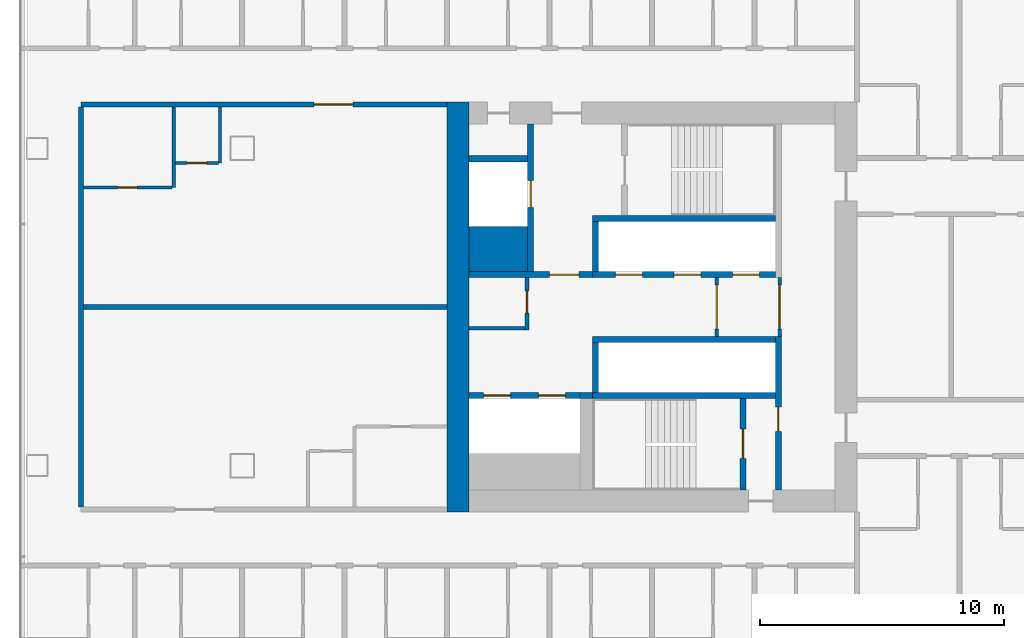
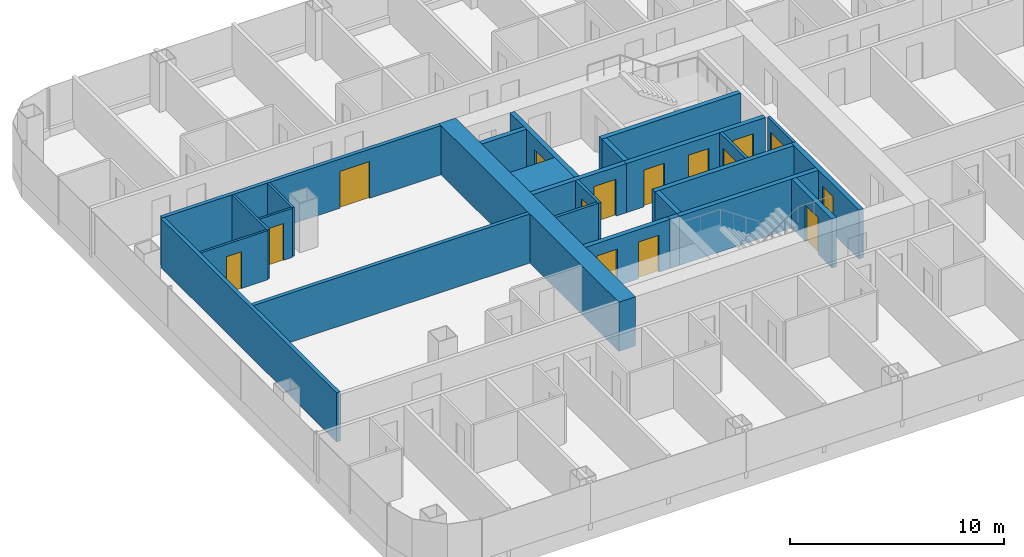
# One storey, part 14 of 29: 26 walls, 15 doors, 15 openings.
"""IFC4 building model written with IfcOpenShell, lengths in metres."""

from ifc_helpers import new_model, si_unit, direction, frame, frame_2d, origin, place, context, subcontext, project, spatial, rectangle, extrude, material, layer, layer_set, type_object, element, fill, save


model = new_model("IFC4")

# Units and contexts
model_context = context("Model", 3, precision=1e-05, world=origin(), true_north=direction((0.0, 1.0)))
body_context = subcontext(model_context, "Body", "Model", "MODEL_VIEW")
ifc_project = project(units=[si_unit("LENGTHUNIT", "METRE"), si_unit("AREAUNIT", "SQUARE_METRE"), si_unit("VOLUMEUNIT", "CUBIC_METRE"), si_unit("PLANEANGLEUNIT", "RADIAN"), si_unit("MASSUNIT", "GRAM", prefix="KILO")], contexts=[model_context])

# Site, building, storey
site_placement = place(None, origin())
site = spatial("IfcSite", under=ifc_project, at=site_placement, CompositionType="ELEMENT")
building_placement = place(site_placement, origin())
building = spatial("IfcBuilding", under=site, at=building_placement, Name="Hakoniwa Tower and Hamabe Station Hall", CompositionType="ELEMENT")
storey_placement = place(building_placement, frame((0.0, 0.0, 55.0)))
storey = spatial("IfcBuildingStorey", under=building, at=storey_placement, Name="L15", CompositionType="ELEMENT", Elevation=55.0)

# Wall, opening, door
ifc_material_1 = material(Name="Gypsum board partition", Category="gypsum")
ifc_layer_1 = layer(ifc_material_1, 0.125)
ifc_layer_set_1 = layer_set([ifc_layer_1], Name="Bathroom Partition 125")
wall_type_1 = type_object("IfcWallType", Name="Bathroom Partition 125", PredefinedType="PARTITIONING", material=ifc_layer_set_1)
wall_1_placement = place(storey_placement, frame((-48.5, 4.89990234375, 0.0), z_axis=(0.0, 0.0, 1.0), x_axis=(1.0, 0.0, 0.0)))
wall_1 = element("IfcWall", 1, at=wall_1_placement, inside=storey, type_object=wall_type_1, Name="GW-L15-028", PredefinedType="PARTITIONING", context=body_context, shape_type="SweptSolid", body=[
    extrude(rectangle(XDim=3.637451171875, YDim=0.125, at=frame_2d((1.81884765625, 0.0))), origin(), (0.0, 0.0, 1.0), 2.800048828125),
])
opening_1_placement = place(wall_1_placement, frame((1.39990234375, 0.0, 0.0)))
opening_1 = element("IfcOpeningElement", 2, at=opening_1_placement, cuts=wall_1, Name="Opening GD-G1B2-40", PredefinedType="OPENING", context=body_context, shape_type="SweptSolid", body=[
    extrude(rectangle(XDim=0.800048828125, YDim=2.10009765625, at=frame_2d((0.39990234375, 1.050048828125))), frame((0.0, 0.072509765625, 0.0), z_axis=(0.0, -1.0, 0.0), x_axis=(1.0, 0.0, 0.0)), (0.0, 0.0, 1.0), 0.14501953125),
])
ifc_material_2 = material(Name="Timber door leaf", Category="wood")
door_type_1 = type_object("IfcDoorType", Name="Bathroom Door 800", OperationType="SINGLE_SWING_LEFT", PredefinedType="DOOR", material=ifc_material_2)
door_1_placement = place(opening_1_placement, origin())
door_1 = element("IfcDoor", 3, at=door_1_placement, inside=storey, type_object=door_type_1, Name="Door GD-G1B2-40", OperationType="SINGLE_SWING_LEFT", OverallHeight=2.10009765625, OverallWidth=0.800048828125, PredefinedType="DOOR", context=body_context, shape_type="SweptSolid", body=[
    extrude(rectangle(XDim=0.800048828125, YDim=2.10009765625, at=frame_2d((0.39990234375, 1.050048828125))), frame((0.0, 0.02490234375, 0.0), z_axis=(0.0, -1.0, 0.0), x_axis=(1.0, 0.0, 0.0)), (0.0, 0.0, 1.0), 0.050048828125),
])
fill(opening_1, door_1)

wall_2_placement = place(storey_placement, frame((-44.737548828125, 5.89990234375, 0.0), z_axis=(0.0, 0.0, 1.0), x_axis=(1.0, 0.0, 0.0)))
wall_2 = element("IfcWall", 4, at=wall_2_placement, inside=storey, type_object=wall_type_1, Name="GW-L15-031", PredefinedType="PARTITIONING", context=body_context, shape_type="SweptSolid", body=[
    extrude(rectangle(XDim=1.775146484375, YDim=0.125, at=frame_2d((0.8876953125, 0.0))), origin(), (0.0, 0.0, 1.0), 2.800048828125),
])
opening_2_placement = place(wall_2_placement, frame((0.487548828125, 0.0, 0.0)))
opening_2 = element("IfcOpeningElement", 5, at=opening_2_placement, cuts=wall_2, Name="Opening GD-G1B2-43", PredefinedType="OPENING", context=body_context, shape_type="SweptSolid", body=[
    extrude(rectangle(XDim=0.800048828125, YDim=2.10009765625, at=frame_2d((0.39990234375, 1.050048828125))), frame((0.0, 0.072509765625, 0.0), z_axis=(0.0, -1.0, 0.0), x_axis=(1.0, 0.0, 0.0)), (0.0, 0.0, 1.0), 0.14501953125),
])
door_2_placement = place(opening_2_placement, origin())
door_2 = element("IfcDoor", 6, at=door_2_placement, inside=storey, type_object=door_type_1, Name="Door GD-G1B2-43", OperationType="SINGLE_SWING_RIGHT", OverallHeight=2.10009765625, OverallWidth=0.800048828125, PredefinedType="DOOR", context=body_context, shape_type="SweptSolid", body=[
    extrude(rectangle(XDim=0.800048828125, YDim=2.10009765625, at=frame_2d((0.39990234375, 1.050048828125))), frame((0.0, 0.02490234375, 0.0), z_axis=(0.0, -1.0, 0.0), x_axis=(1.0, 0.0, 0.0)), (0.0, 0.0, 1.0), 0.050048828125),
])
fill(opening_2, door_2)

# Walls
wall_3_placement = place(storey_placement, frame((-44.800048828125, 4.89990234375, 0.0), z_axis=(0.0, 0.0, 1.0), x_axis=(0.0, 1.0, 0.0)))
element("IfcWall", 7, at=wall_3_placement, inside=storey, type_object=wall_type_1, Name="GW-L15-052", PredefinedType="PARTITIONING", context=body_context, shape_type="SweptSolid", body=[
    extrude(rectangle(XDim=3.300048828125, YDim=0.125, at=frame_2d((1.64990234375, 0.0))), origin(), (0.0, 0.0, 1.0), 2.800048828125),
])
wall_4_placement = place(storey_placement, frame((-42.89990234375, 5.89990234375, 0.0), z_axis=(0.0, 0.0, 1.0), x_axis=(0.0, 1.0, 0.0)))
element("IfcWall", 8, at=wall_4_placement, inside=storey, type_object=wall_type_1, Name="GW-L15-055", PredefinedType="PARTITIONING", context=body_context, shape_type="SweptSolid", body=[
    extrude(rectangle(XDim=2.300048828125, YDim=0.125, at=frame_2d((1.14990234375, 0.0))), origin(), (0.0, 0.0, 1.0), 2.800048828125),
])

# Wall, opening, door
ifc_material_3 = material(Name="Gypsum board partition")
ifc_layer_2 = layer(ifc_material_3, 0.14990234375)
ifc_layer_set_2 = layer_set([ifc_layer_2], Name="CORE PARTITION 150 EI 60")
wall_type_2 = type_object("IfcWallType", Name="CORE PARTITION 150 EI 60", PredefinedType="PARTITIONING", material=ifc_layer_set_2)
wall_5_placement = place(storey_placement, frame((-19.97509765625, -1.199951171875, 0.0), z_axis=(0.0, 0.0, 1.0), x_axis=(0.0, 1.0, 0.0)))
wall_5 = element("IfcWall", 9, at=wall_5_placement, inside=storey, type_object=wall_type_2, Name="Core partition PL0 west", PredefinedType="PARTITIONING", context=body_context, shape_type="SweptSolid", body=[
    extrude(rectangle(XDim=2.39990234375, YDim=0.14990234375, at=frame_2d((1.199951171875, 0.0))), origin(), (0.0, 0.0, 1.0), 2.800048828125),
])
opening_3_placement = place(wall_5_placement, frame((0.300048828125, 0.0, 0.0)))
opening_3 = element("IfcOpeningElement", 10, at=opening_3_placement, cuts=wall_5, Name="Opening CD-W-LP0-18", PredefinedType="OPENING", context=body_context, shape_type="SweptSolid", body=[
    extrude(rectangle(XDim=1.800048828125, YDim=2.10009765625, at=frame_2d((0.89990234375, 1.050048828125))), frame((0.0, 0.0849609375, 0.0), z_axis=(0.0, -1.0, 0.0), x_axis=(1.0, 0.0, 0.0)), (0.0, 0.0, 1.0), 0.169921875),
])
ifc_material_4 = material(Name="Steel fire door", Category="steel")
door_type_2 = type_object("IfcDoorType", Name="CORE DOOR 1800 FD60", OperationType="DOUBLE_DOOR_SINGLE_SWING", PredefinedType="DOOR", material=ifc_material_4)
door_3_placement = place(opening_3_placement, origin())
door_3 = element("IfcDoor", 11, at=door_3_placement, inside=storey, type_object=door_type_2, Name="Lift lobby partition door", OperationType="DOUBLE_DOOR_SINGLE_SWING", OverallHeight=2.10009765625, OverallWidth=1.800048828125, PredefinedType="DOOR", context=body_context, shape_type="SweptSolid", body=[
    extrude(rectangle(XDim=1.800048828125, YDim=2.10009765625, at=frame_2d((0.89990234375, 1.050048828125))), frame((0.0, 0.02490234375, 0.0), z_axis=(0.0, -1.0, 0.0), x_axis=(1.0, 0.0, 0.0)), (0.0, 0.0, 1.0), 0.050048828125),
])
fill(opening_3, door_3)

wall_6_placement = place(storey_placement, frame((-22.550048828125, -1.199951171875, 0.0), z_axis=(0.0, 0.0, 1.0), x_axis=(0.0, 1.0, 0.0)))
wall_6 = element("IfcWall", 12, at=wall_6_placement, inside=storey, type_object=wall_type_2, Name="Core partition PL1 west", PredefinedType="PARTITIONING", context=body_context, shape_type="SweptSolid", body=[
    extrude(rectangle(XDim=2.39990234375, YDim=0.14990234375, at=frame_2d((1.199951171875, 0.0))), origin(), (0.0, 0.0, 1.0), 2.800048828125),
])
opening_4_placement = place(wall_6_placement, frame((0.300048828125, 0.0, 0.0)))
opening_4 = element("IfcOpeningElement", 13, at=opening_4_placement, cuts=wall_6, Name="Opening CD-W-LP1-18", PredefinedType="OPENING", context=body_context, shape_type="SweptSolid", body=[
    extrude(rectangle(XDim=1.800048828125, YDim=2.10009765625, at=frame_2d((0.89990234375, 1.050048828125))), frame((0.0, 0.0849609375, 0.0), z_axis=(0.0, -1.0, 0.0), x_axis=(1.0, 0.0, 0.0)), (0.0, 0.0, 1.0), 0.169921875),
])
door_4_placement = place(opening_4_placement, origin())
door_4 = element("IfcDoor", 14, at=door_4_placement, inside=storey, type_object=door_type_2, Name="Lift lobby partition door", OperationType="DOUBLE_DOOR_SINGLE_SWING", OverallHeight=2.10009765625, OverallWidth=1.800048828125, PredefinedType="DOOR", context=body_context, shape_type="SweptSolid", body=[
    extrude(rectangle(XDim=1.800048828125, YDim=2.10009765625, at=frame_2d((0.89990234375, 1.050048828125))), frame((0.0, 0.02490234375, 0.0), z_axis=(0.0, -1.0, 0.0), x_axis=(1.0, 0.0, 0.0)), (0.0, 0.0, 1.0), 0.050048828125),
])
fill(opening_4, door_4)

wall_7_placement = place(storey_placement, frame((-30.324951171875, -0.949951171875, 0.0), z_axis=(0.0, 0.0, 1.0), x_axis=(0.0, 1.0, 0.0)))
wall_7 = element("IfcWall", 15, at=wall_7_placement, inside=storey, type_object=wall_type_2, Name="Core partition PW0 west", PredefinedType="PARTITIONING", context=body_context, shape_type="SweptSolid", body=[
    extrude(rectangle(XDim=2.14990234375, YDim=0.14990234375, at=frame_2d((1.074951171875, 0.0))), origin(), (0.0, 0.0, 1.0), 2.800048828125),
])
opening_5_placement = place(wall_7_placement, frame((0.699951171875, 0.0, 0.0)))
opening_5 = element("IfcOpeningElement", 16, at=opening_5_placement, cuts=wall_7, Name="Opening CD-W-RM1-9", PredefinedType="OPENING", context=body_context, shape_type="SweptSolid", body=[
    extrude(rectangle(XDim=0.89990234375, YDim=2.10009765625, at=frame_2d((0.449951171875, 1.050048828125))), frame((0.0, 0.0849609375, 0.0), z_axis=(0.0, -1.0, 0.0), x_axis=(1.0, 0.0, 0.0)), (0.0, 0.0, 1.0), 0.169921875),
])
ifc_material_5 = material(Name="Steel fire door", Category="steel")
door_type_3 = type_object("IfcDoorType", Name="CORE DOOR 900 FD30", OperationType="NOTDEFINED", PredefinedType="DOOR", material=ifc_material_5)
door_5_placement = place(opening_5_placement, origin())
door_5 = element("IfcDoor", 17, at=door_5_placement, inside=storey, type_object=door_type_3, Name="Store room door", OperationType="SINGLE_SWING_RIGHT", OverallHeight=2.10009765625, OverallWidth=0.89990234375, PredefinedType="DOOR", context=body_context, shape_type="SweptSolid", body=[
    extrude(rectangle(XDim=0.89990234375, YDim=2.10009765625, at=frame_2d((0.449951171875, 1.050048828125))), frame((0.0, 0.02490234375, 0.0), z_axis=(0.0, -1.0, 0.0), x_axis=(1.0, 0.0, 0.0)), (0.0, 0.0, 1.0), 0.050048828125),
])
fill(opening_5, door_5)

# Walls
wall_8_placement = place(storey_placement, frame((-32.699951171875, -0.875, 0.0), z_axis=(0.0, 0.0, 1.0), x_axis=(1.0, 0.0, 0.0)))
element("IfcWall", 18, at=wall_8_placement, inside=storey, type_object=wall_type_2, Name="Core partition PS west", PredefinedType="PARTITIONING", context=body_context, shape_type="SweptSolid", body=[
    extrude(rectangle(XDim=2.300048828125, YDim=0.14990234375, at=frame_2d((1.14990234375, 0.0))), origin(), (0.0, 0.0, 1.0), 2.800048828125),
])
ifc_material_6 = material(Name="Concrete C80", Category="concrete")
ifc_layer_3 = layer(ifc_material_6, 0.89990234375)
ifc_layer_set_3 = layer_set([ifc_layer_3], Name="CORE WALL 900 C80")
wall_type_3 = type_object("IfcWallType", Name="CORE WALL 900 C80", PredefinedType="SHEAR", material=ifc_layer_set_3)
wall_9_placement = place(storey_placement, frame((-33.14990234375, -8.39990234375, 0.0), z_axis=(0.0, 0.0, 1.0), x_axis=(0.0, 1.0, 0.0)))
element("IfcWall", 19, at=wall_9_placement, inside=storey, type_object=wall_type_3, Name="Core wall OUTER west", PredefinedType="SHEAR", context=body_context, shape_type="SweptSolid", body=[
    extrude(rectangle(XDim=16.7998046875, YDim=0.89990234375, at=frame_2d((8.39990234375, 0.0))), origin(), (0.0, 0.0, 1.0), 2.800048828125),
])
ifc_material_7 = material(Name="Concrete C80", Category="concrete")
ifc_layer_4 = layer(ifc_material_7, 1.85009765625)
ifc_layer_set_4 = layer_set([ifc_layer_4], Name="CORE WEB WALL 1850 C80")
wall_type_4 = type_object("IfcWallType", Name="CORE WEB WALL 1850 C80", PredefinedType="SHEAR", material=ifc_layer_set_4)
wall_10_placement = place(storey_placement, frame((-32.699951171875, 2.375, 0.0), z_axis=(0.0, 0.0, 1.0), x_axis=(1.0, 0.0, 0.0)))
element("IfcWall", 20, at=wall_10_placement, inside=storey, type_object=wall_type_4, Name="Core wall CA west", PredefinedType="SHEAR", context=body_context, shape_type="SweptSolid", body=[
    extrude(rectangle(XDim=2.39990234375, YDim=1.85009765625, at=frame_2d((1.199951171875, 0.0))), origin(), (0.0, 0.0, 1.0), 2.800048828125),
])

# Wall, opening, door
ifc_material_8 = material(Name="Concrete C80", Category="concrete")
ifc_layer_5 = layer(ifc_material_8, 0.25)
ifc_layer_set_5 = layer_set([ifc_layer_5], Name="CORE WEB WALL 250 C80")
wall_type_5 = type_object("IfcWallType", Name="CORE WEB WALL 250 C80", PredefinedType="SHEAR", material=ifc_layer_set_5)
wall_11_placement = place(storey_placement, frame((-20.02490234375, -7.5, 0.0), z_axis=(0.0, 0.0, 1.0), x_axis=(0.0, 1.0, 0.0)))
wall_11 = element("IfcWall", 21, at=wall_11_placement, inside=storey, type_object=wall_type_5, Name="Core wall W1S west", PredefinedType="SHEAR", context=body_context, shape_type="SweptSolid", body=[
    extrude(rectangle(XDim=6.300048828125, YDim=0.25, at=frame_2d((3.14990234375, 0.0))), origin(), (0.0, 0.0, 1.0), 2.800048828125),
])
opening_6_placement = place(wall_11_placement, frame((2.39990234375, 0.0, 0.0)))
opening_6 = element("IfcOpeningElement", 22, at=opening_6_placement, cuts=wall_11, Name="Opening CD-W-VS-10", PredefinedType="OPENING", context=body_context, shape_type="SweptSolid", body=[
    extrude(rectangle(XDim=1.0, YDim=2.10009765625, at=frame_2d((0.5, 1.050048828125))), frame((0.0, 0.135009765625, 0.0), z_axis=(0.0, -1.0, 0.0), x_axis=(1.0, 0.0, 0.0)), (0.0, 0.0, 1.0), 0.27001953125),
])
ifc_material_9 = material(Name="Steel fire door", Category="steel")
door_type_4 = type_object("IfcDoorType", Name="CORE DOOR 1000 FD60", OperationType="NOTDEFINED", PredefinedType="DOOR", material=ifc_material_9)
door_6_placement = place(opening_6_placement, origin())
door_6 = element("IfcDoor", 23, at=door_6_placement, inside=storey, type_object=door_type_4, Name="Stair vestibule door", OperationType="SINGLE_SWING_LEFT", OverallHeight=2.10009765625, OverallWidth=1.0, PredefinedType="DOOR", context=body_context, shape_type="SweptSolid", body=[
    extrude(rectangle(XDim=1.0, YDim=2.10009765625, at=frame_2d((0.5, 1.050048828125))), frame((0.0, 0.02490234375, 0.0), z_axis=(0.0, -1.0, 0.0), x_axis=(1.0, 0.0, 0.0)), (0.0, 0.0, 1.0), 0.050048828125),
])
fill(opening_6, door_6)

# Wall, openings, doors
wall_12_placement = place(storey_placement, frame((-27.64990234375, 1.324951171875, 0.0), z_axis=(0.0, 0.0, 1.0), x_axis=(1.0, 0.0, 0.0)))
wall_12 = element("IfcWall", 24, at=wall_12_placement, inside=storey, type_object=wall_type_5, Name="Core wall NF west", PredefinedType="SHEAR", context=body_context, shape_type="SweptSolid", body=[
    extrude(rectangle(XDim=7.5, YDim=0.25, at=frame_2d((3.75, 0.0))), origin(), (0.0, 0.0, 1.0), 2.800048828125),
])
opening_7_placement = place(wall_12_placement, frame((5.75, 0.0, 0.0)))
opening_7 = element("IfcOpeningElement", 25, at=opening_7_placement, cuts=wall_12, Name="Opening LD-LR1", PredefinedType="OPENING", context=body_context, shape_type="SweptSolid", body=[
    extrude(rectangle(XDim=1.10009765625, YDim=2.10009765625, at=frame_2d((0.550048828125, 1.050048828125))), frame((0.0, 0.135009765625, 0.0), z_axis=(0.0, -1.0, 0.0), x_axis=(1.0, 0.0, 0.0)), (0.0, 0.0, 1.0), 0.27001953125),
])
opening_8_placement = place(wall_12_placement, frame((3.35009765625, 0.0, 0.0)))
opening_8 = element("IfcOpeningElement", 26, at=opening_8_placement, cuts=wall_12, Name="Opening LD-LR2", PredefinedType="OPENING", context=body_context, shape_type="SweptSolid", body=[
    extrude(rectangle(XDim=1.10009765625, YDim=2.10009765625, at=frame_2d((0.550048828125, 1.050048828125))), frame((0.0, 0.135009765625, 0.0), z_axis=(0.0, -1.0, 0.0), x_axis=(1.0, 0.0, 0.0)), (0.0, 0.0, 1.0), 0.27001953125),
])
opening_9_placement = place(wall_12_placement, frame((0.949951171875, 0.0, 0.0)))
opening_9 = element("IfcOpeningElement", 27, at=opening_9_placement, cuts=wall_12, Name="Opening LD-LR3", PredefinedType="OPENING", context=body_context, shape_type="SweptSolid", body=[
    extrude(rectangle(XDim=1.10009765625, YDim=2.10009765625, at=frame_2d((0.550048828125, 1.050048828125))), frame((0.0, 0.135009765625, 0.0), z_axis=(0.0, -1.0, 0.0), x_axis=(1.0, 0.0, 0.0)), (0.0, 0.0, 1.0), 0.27001953125),
])
ifc_material_10 = material(Name="Stainless steel SUS304", Category="steel")
door_type_5 = type_object("IfcDoorType", Name="LIFT LANDING DOOR 1100 FD60", OperationType="DOUBLE_DOOR_SLIDING", PredefinedType="DOOR", material=ifc_material_10)
door_7_placement = place(opening_7_placement, origin())
door_7 = element("IfcDoor", 28, at=door_7_placement, inside=storey, type_object=door_type_5, Name="Lift landing door LR1 L15", OperationType="DOUBLE_DOOR_SLIDING", OverallHeight=2.10009765625, OverallWidth=1.10009765625, PredefinedType="DOOR", context=body_context, shape_type="SweptSolid", body=[
    extrude(rectangle(XDim=1.10009765625, YDim=2.10009765625, at=frame_2d((0.550048828125, 1.050048828125))), frame((0.0, 0.02490234375, 0.0), z_axis=(0.0, -1.0, 0.0), x_axis=(1.0, 0.0, 0.0)), (0.0, 0.0, 1.0), 0.050048828125),
])
fill(opening_7, door_7)
door_8_placement = place(opening_8_placement, origin())
door_8 = element("IfcDoor", 29, at=door_8_placement, inside=storey, type_object=door_type_5, Name="Lift landing door LR2 L15", OperationType="DOUBLE_DOOR_SLIDING", OverallHeight=2.10009765625, OverallWidth=1.10009765625, PredefinedType="DOOR", context=body_context, shape_type="SweptSolid", body=[
    extrude(rectangle(XDim=1.10009765625, YDim=2.10009765625, at=frame_2d((0.550048828125, 1.050048828125))), frame((0.0, 0.02490234375, 0.0), z_axis=(0.0, -1.0, 0.0), x_axis=(1.0, 0.0, 0.0)), (0.0, 0.0, 1.0), 0.050048828125),
])
fill(opening_8, door_8)
door_9_placement = place(opening_9_placement, origin())
door_9 = element("IfcDoor", 30, at=door_9_placement, inside=storey, type_object=door_type_5, Name="Lift landing door LR3 L15", OperationType="DOUBLE_DOOR_SLIDING", OverallHeight=2.10009765625, OverallWidth=1.10009765625, PredefinedType="DOOR", context=body_context, shape_type="SweptSolid", body=[
    extrude(rectangle(XDim=1.10009765625, YDim=2.10009765625, at=frame_2d((0.550048828125, 1.050048828125))), frame((0.0, 0.02490234375, 0.0), z_axis=(0.0, -1.0, 0.0), x_axis=(1.0, 0.0, 0.0)), (0.0, 0.0, 1.0), 0.050048828125),
])
fill(opening_9, door_9)

# Walls
wall_13_placement = place(storey_placement, frame((-27.52490234375, 1.449951171875, 0.0), z_axis=(0.0, 0.0, 1.0), x_axis=(0.0, 1.0, 0.0)))
element("IfcWall", 31, at=wall_13_placement, inside=storey, type_object=wall_type_5, Name="Core wall NE west", PredefinedType="SHEAR", context=body_context, shape_type="SweptSolid", body=[
    extrude(rectangle(XDim=2.050048828125, YDim=0.25, at=frame_2d((1.02490234375, 0.0))), origin(), (0.0, 0.0, 1.0), 2.800048828125),
])
wall_14_placement = place(storey_placement, frame((-27.64990234375, 3.625, 0.0), z_axis=(0.0, 0.0, 1.0), x_axis=(1.0, 0.0, 0.0)))
element("IfcWall", 32, at=wall_14_placement, inside=storey, type_object=wall_type_5, Name="Core wall NR west", PredefinedType="SHEAR", context=body_context, shape_type="SweptSolid", body=[
    extrude(rectangle(XDim=7.5, YDim=0.25, at=frame_2d((3.75, 0.0))), origin(), (0.0, 0.0, 1.0), 2.800048828125),
])

# Wall, opening, door
wall_15_placement = place(storey_placement, frame((-32.699951171875, 1.324951171875, 0.0), z_axis=(0.0, 0.0, 1.0), x_axis=(1.0, 0.0, 0.0)))
wall_15 = element("IfcWall", 33, at=wall_15_placement, inside=storey, type_object=wall_type_5, Name="Core wall ELN west", PredefinedType="SHEAR", context=body_context, shape_type="SweptSolid", body=[
    extrude(rectangle(XDim=5.050048828125, YDim=0.25, at=frame_2d((2.52490234375, 0.0))), origin(), (0.0, 0.0, 1.0), 2.800048828125),
])
opening_10_placement = place(wall_15_placement, frame((3.300048828125, 0.0, 0.0)))
opening_10 = element("IfcOpeningElement", 34, at=opening_10_placement, cuts=wall_15, Name="Opening CD-W-FL-12", PredefinedType="OPENING", context=body_context, shape_type="SweptSolid", body=[
    extrude(rectangle(XDim=1.199951171875, YDim=2.10009765625, at=frame_2d((0.60009765625, 1.050048828125))), frame((0.0, 0.135009765625, 0.0), z_axis=(0.0, -1.0, 0.0), x_axis=(1.0, 0.0, 0.0)), (0.0, 0.0, 1.0), 0.27001953125),
])
ifc_material_11 = material(Name="Steel fire door", Category="steel")
door_type_6 = type_object("IfcDoorType", Name="CORE DOOR 1200 FD60", OperationType="DOUBLE_DOOR_SINGLE_SWING", PredefinedType="DOOR", material=ifc_material_11)
door_10_placement = place(opening_10_placement, origin())
door_10 = element("IfcDoor", 35, at=door_10_placement, inside=storey, type_object=door_type_6, Name="Stair vestibule door to the fire-fighting lobby", OperationType="DOUBLE_DOOR_SINGLE_SWING", OverallHeight=2.10009765625, OverallWidth=1.199951171875, PredefinedType="DOOR", context=body_context, shape_type="SweptSolid", body=[
    extrude(rectangle(XDim=1.199951171875, YDim=2.10009765625, at=frame_2d((0.60009765625, 1.050048828125))), frame((0.0, 0.02490234375, 0.0), z_axis=(0.0, -1.0, 0.0), x_axis=(1.0, 0.0, 0.0)), (0.0, 0.0, 1.0), 0.050048828125),
])
fill(opening_10, door_10)

wall_16_placement = place(storey_placement, frame((-30.175048828125, 1.449951171875, 0.0), z_axis=(0.0, 0.0, 1.0), x_axis=(0.0, 1.0, 0.0)))
wall_16 = element("IfcWall", 36, at=wall_16_placement, inside=storey, type_object=wall_type_5, Name="Core wall FFF west", PredefinedType="SHEAR", context=body_context, shape_type="SweptSolid", body=[
    extrude(rectangle(XDim=6.050048828125, YDim=0.25, at=frame_2d((3.02490234375, 0.0))), origin(), (0.0, 0.0, 1.0), 2.800048828125),
])
opening_11_placement = place(wall_16_placement, frame((2.625, 0.0, 0.0)))
opening_11 = element("IfcOpeningElement", 37, at=opening_11_placement, cuts=wall_16, Name="Opening LD-FF1", PredefinedType="OPENING", context=body_context, shape_type="SweptSolid", body=[
    extrude(rectangle(XDim=1.10009765625, YDim=2.10009765625, at=frame_2d((0.550048828125, 1.050048828125))), frame((0.0, 0.135009765625, 0.0), z_axis=(0.0, -1.0, 0.0), x_axis=(1.0, 0.0, 0.0)), (0.0, 0.0, 1.0), 0.27001953125),
])
door_11_placement = place(opening_11_placement, origin())
door_11 = element("IfcDoor", 38, at=door_11_placement, inside=storey, type_object=door_type_5, Name="Lift landing door FF1 L15", OperationType="DOUBLE_DOOR_SLIDING", OverallHeight=2.10009765625, OverallWidth=1.10009765625, PredefinedType="DOOR", context=body_context, shape_type="SweptSolid", body=[
    extrude(rectangle(XDim=1.10009765625, YDim=2.10009765625, at=frame_2d((0.550048828125, 1.050048828125))), frame((0.0, 0.02490234375, 0.0), z_axis=(0.0, -1.0, 0.0), x_axis=(1.0, 0.0, 0.0)), (0.0, 0.0, 1.0), 0.050048828125),
])
fill(opening_11, door_11)

# Walls
wall_17_placement = place(storey_placement, frame((-32.699951171875, 6.074951171875, 0.0), z_axis=(0.0, 0.0, 1.0), x_axis=(1.0, 0.0, 0.0)))
element("IfcWall", 39, at=wall_17_placement, inside=storey, type_object=wall_type_5, Name="Core wall C2 west", PredefinedType="SHEAR", context=body_context, shape_type="SweptSolid", body=[
    extrude(rectangle(XDim=2.39990234375, YDim=0.25, at=frame_2d((1.199951171875, 0.0))), origin(), (0.0, 0.0, 1.0), 2.800048828125),
])
wall_18_placement = place(storey_placement, frame((-27.64990234375, -1.324951171875, 0.0), z_axis=(0.0, 0.0, 1.0), x_axis=(1.0, 0.0, 0.0)))
element("IfcWall", 40, at=wall_18_placement, inside=storey, type_object=wall_type_5, Name="Core wall SF west", PredefinedType="SHEAR", context=body_context, shape_type="SweptSolid", body=[
    extrude(rectangle(XDim=7.5, YDim=0.25, at=frame_2d((3.75, 0.0))), origin(), (0.0, 0.0, 1.0), 2.800048828125),
])
wall_19_placement = place(storey_placement, frame((-27.52490234375, -3.5, 0.0), z_axis=(0.0, 0.0, 1.0), x_axis=(0.0, 1.0, 0.0)))
element("IfcWall", 41, at=wall_19_placement, inside=storey, type_object=wall_type_5, Name="Core wall SE west", PredefinedType="SHEAR", context=body_context, shape_type="SweptSolid", body=[
    extrude(rectangle(XDim=2.050048828125, YDim=0.25, at=frame_2d((1.02490234375, 0.0))), origin(), (0.0, 0.0, 1.0), 2.800048828125),
])
wall_20_placement = place(storey_placement, frame((-27.64990234375, -3.625, 0.0), z_axis=(0.0, 0.0, 1.0), x_axis=(1.0, 0.0, 0.0)))
element("IfcWall", 42, at=wall_20_placement, inside=storey, type_object=wall_type_5, Name="Core wall SR west", PredefinedType="SHEAR", context=body_context, shape_type="SweptSolid", body=[
    extrude(rectangle(XDim=7.5, YDim=0.25, at=frame_2d((3.75, 0.0))), origin(), (0.0, 0.0, 1.0), 2.800048828125),
])

# Wall, opening, door
wall_21_placement = place(storey_placement, frame((-21.47509765625, -7.5, 0.0), z_axis=(0.0, 0.0, 1.0), x_axis=(0.0, 1.0, 0.0)))
wall_21 = element("IfcWall", 43, at=wall_21_placement, inside=storey, type_object=wall_type_5, Name="Core wall VE west", PredefinedType="SHEAR", context=body_context, shape_type="SweptSolid", body=[
    extrude(rectangle(XDim=3.75, YDim=0.25, at=frame_2d((1.875, 0.0))), origin(), (0.0, 0.0, 1.0), 2.800048828125),
])
opening_12_placement = place(wall_21_placement, frame((1.300048828125, 0.0, 0.0)))
opening_12 = element("IfcOpeningElement", 44, at=opening_12_placement, cuts=wall_21, Name="Opening CD-W-SS-12", PredefinedType="OPENING", context=body_context, shape_type="SweptSolid", body=[
    extrude(rectangle(XDim=1.199951171875, YDim=2.10009765625, at=frame_2d((0.60009765625, 1.050048828125))), frame((0.0, 0.135009765625, 0.0), z_axis=(0.0, -1.0, 0.0), x_axis=(1.0, 0.0, 0.0)), (0.0, 0.0, 1.0), 0.27001953125),
])
door_12_placement = place(opening_12_placement, origin())
door_12 = element("IfcDoor", 45, at=door_12_placement, inside=storey, type_object=door_type_6, Name="Escape stair door", OperationType="DOUBLE_DOOR_SINGLE_SWING", OverallHeight=2.10009765625, OverallWidth=1.199951171875, PredefinedType="DOOR", context=body_context, shape_type="SweptSolid", body=[
    extrude(rectangle(XDim=1.199951171875, YDim=2.10009765625, at=frame_2d((0.60009765625, 1.050048828125))), frame((0.0, 0.02490234375, 0.0), z_axis=(0.0, -1.0, 0.0), x_axis=(1.0, 0.0, 0.0)), (0.0, 0.0, 1.0), 0.050048828125),
])
fill(opening_12, door_12)

# Wall, openings, doors
wall_22_placement = place(storey_placement, frame((-32.699951171875, -3.625, 0.0), z_axis=(0.0, 0.0, 1.0), x_axis=(1.0, 0.0, 0.0)))
wall_22 = element("IfcWall", 46, at=wall_22_placement, inside=storey, type_object=wall_type_5, Name="Core wall SEF west", PredefinedType="SHEAR", context=body_context, shape_type="SweptSolid", body=[
    extrude(rectangle(XDim=4.550048828125, YDim=0.25, at=frame_2d((2.27490234375, 0.0))), origin(), (0.0, 0.0, 1.0), 2.800048828125),
])
opening_13_placement = place(wall_22_placement, frame((2.85009765625, 0.0, 0.0)))
opening_13 = element("IfcOpeningElement", 47, at=opening_13_placement, cuts=wall_22, Name="Opening LD-SV1", PredefinedType="OPENING", context=body_context, shape_type="SweptSolid", body=[
    extrude(rectangle(XDim=1.10009765625, YDim=2.10009765625, at=frame_2d((0.550048828125, 1.050048828125))), frame((0.0, 0.135009765625, 0.0), z_axis=(0.0, -1.0, 0.0), x_axis=(1.0, 0.0, 0.0)), (0.0, 0.0, 1.0), 0.27001953125),
])
opening_14_placement = place(wall_22_placement, frame((0.60009765625, 0.0, 0.0)))
opening_14 = element("IfcOpeningElement", 48, at=opening_14_placement, cuts=wall_22, Name="Opening LD-SV2", PredefinedType="OPENING", context=body_context, shape_type="SweptSolid", body=[
    extrude(rectangle(XDim=1.10009765625, YDim=2.10009765625, at=frame_2d((0.550048828125, 1.050048828125))), frame((0.0, 0.135009765625, 0.0), z_axis=(0.0, -1.0, 0.0), x_axis=(1.0, 0.0, 0.0)), (0.0, 0.0, 1.0), 0.27001953125),
])
door_13_placement = place(opening_13_placement, origin())
door_13 = element("IfcDoor", 49, at=door_13_placement, inside=storey, type_object=door_type_5, Name="Lift landing door SV1 L15", OperationType="DOUBLE_DOOR_SLIDING", OverallHeight=2.10009765625, OverallWidth=1.10009765625, PredefinedType="DOOR", context=body_context, shape_type="SweptSolid", body=[
    extrude(rectangle(XDim=1.10009765625, YDim=2.10009765625, at=frame_2d((0.550048828125, 1.050048828125))), frame((0.0, 0.02490234375, 0.0), z_axis=(0.0, -1.0, 0.0), x_axis=(1.0, 0.0, 0.0)), (0.0, 0.0, 1.0), 0.050048828125),
])
fill(opening_13, door_13)
door_14_placement = place(opening_14_placement, origin())
door_14 = element("IfcDoor", 50, at=door_14_placement, inside=storey, type_object=door_type_5, Name="Lift landing door SV2 L15", OperationType="DOUBLE_DOOR_SLIDING", OverallHeight=2.10009765625, OverallWidth=1.10009765625, PredefinedType="DOOR", context=body_context, shape_type="SweptSolid", body=[
    extrude(rectangle(XDim=1.10009765625, YDim=2.10009765625, at=frame_2d((0.550048828125, 1.050048828125))), frame((0.0, 0.02490234375, 0.0), z_axis=(0.0, -1.0, 0.0), x_axis=(1.0, 0.0, 0.0)), (0.0, 0.0, 1.0), 0.050048828125),
])
fill(opening_14, door_14)

# Wall
wall_23_placement = place(storey_placement, frame((-28.14990234375, -3.625, 0.0), z_axis=(0.0, 0.0, 1.0), x_axis=(1.0, 0.0, 0.0)))
element("IfcWall", 51, at=wall_23_placement, inside=storey, type_object=wall_type_5, Name="Core wall SRK west", PredefinedType="SHEAR", context=body_context, shape_type="SweptSolid", body=[
    extrude(rectangle(XDim=0.5, YDim=0.25, at=frame_2d((0.25, 0.0))), origin(), (0.0, 0.0, 1.0), 2.800048828125),
])

# Wall, opening, door
ifc_material_12 = material(Name="Fire-rated gypsum board partition", Category="gypsum")
ifc_layer_6 = layer(ifc_material_12, 0.199951171875)
ifc_layer_set_6 = layer_set([ifc_layer_6], Name="Corridor Wall 200")
wall_type_6 = type_object("IfcWallType", Name="Corridor Wall 200", PredefinedType="PARTITIONING", material=ifc_layer_set_6)
wall_24_placement = place(storey_placement, frame((-48.60009765625, 8.300048828125, 0.0), z_axis=(0.0, 0.0, 1.0), x_axis=(1.0, 0.0, 0.0)))
wall_24 = element("IfcWall", 52, at=wall_24_placement, inside=storey, type_object=wall_type_6, Name="GW-L15-033", PredefinedType="PARTITIONING", context=body_context, shape_type="SweptSolid", body=[
    extrude(rectangle(XDim=15.0, YDim=0.199951171875, at=frame_2d((7.5, 0.0))), origin(), (0.0, 0.0, 1.0), 2.800048828125),
])
opening_15_placement = place(wall_24_placement, frame((9.550048828125, 0.0, 0.0)))
opening_15 = element("IfcOpeningElement", 53, at=opening_15_placement, cuts=wall_24, Name="Opening GD-G1B2-52", PredefinedType="OPENING", context=body_context, shape_type="SweptSolid", body=[
    extrude(rectangle(XDim=1.60009765625, YDim=2.10009765625, at=frame_2d((0.800048828125, 1.050048828125))), frame((0.0, 0.10986328125, 0.0), z_axis=(0.0, -1.0, 0.0), x_axis=(1.0, 0.0, 0.0)), (0.0, 0.0, 1.0), 0.219970703125),
])
ifc_material_13 = material(Name="Timber door leaf", Category="wood")
door_type_7 = type_object("IfcDoorType", Name="Double Door 1600", OperationType="DOUBLE_DOOR_SINGLE_SWING", PredefinedType="DOOR", material=ifc_material_13)
door_15_placement = place(opening_15_placement, origin())
door_15 = element("IfcDoor", 54, at=door_15_placement, inside=storey, type_object=door_type_7, Name="Door GD-G1B2-52", OperationType="DOUBLE_DOOR_SINGLE_SWING", OverallHeight=2.10009765625, OverallWidth=1.60009765625, PredefinedType="DOOR", context=body_context, shape_type="SweptSolid", body=[
    extrude(rectangle(XDim=1.60009765625, YDim=2.10009765625, at=frame_2d((0.800048828125, 1.050048828125))), frame((0.0, 0.02490234375, 0.0), z_axis=(0.0, -1.0, 0.0), x_axis=(1.0, 0.0, 0.0)), (0.0, 0.0, 1.0), 0.050048828125),
])
fill(opening_15, door_15)

# Walls
ifc_material_14 = material(Name="Fire-rated gypsum board partition", Category="gypsum")
ifc_layer_7 = layer(ifc_material_14, 0.199951171875)
ifc_layer_set_7 = layer_set([ifc_layer_7], Name="Party Wall 200")
wall_type_7 = type_object("IfcWallType", Name="Party Wall 200", PredefinedType="PARTITIONING", material=ifc_layer_set_7)
wall_25_placement = place(storey_placement, frame((-48.5, 0.0, 0.0), z_axis=(0.0, 0.0, 1.0), x_axis=(1.0, 0.0, 0.0)))
element("IfcWall", 55, at=wall_25_placement, inside=storey, type_object=wall_type_7, Name="GW-L15-025", PredefinedType="PARTITIONING", context=body_context, shape_type="SweptSolid", body=[
    extrude(rectangle(XDim=14.89990234375, YDim=0.199951171875, at=frame_2d((7.449951171875, 0.0))), origin(), (0.0, 0.0, 1.0), 2.800048828125),
])
wall_26_placement = place(storey_placement, frame((-48.60009765625, -8.199951171875, 0.0), z_axis=(0.0, 0.0, 1.0), x_axis=(0.0, 1.0, 0.0)))
element("IfcWall", 56, at=wall_26_placement, inside=storey, type_object=wall_type_7, Name="GW-L15-047", PredefinedType="PARTITIONING", context=body_context, shape_type="SweptSolid", body=[
    extrude(rectangle(XDim=16.39990234375, YDim=0.199951171875, at=frame_2d((8.199951171875, 0.0))), origin(), (0.0, 0.0, 1.0), 2.800048828125),
])

save(model, "model.ifc")
